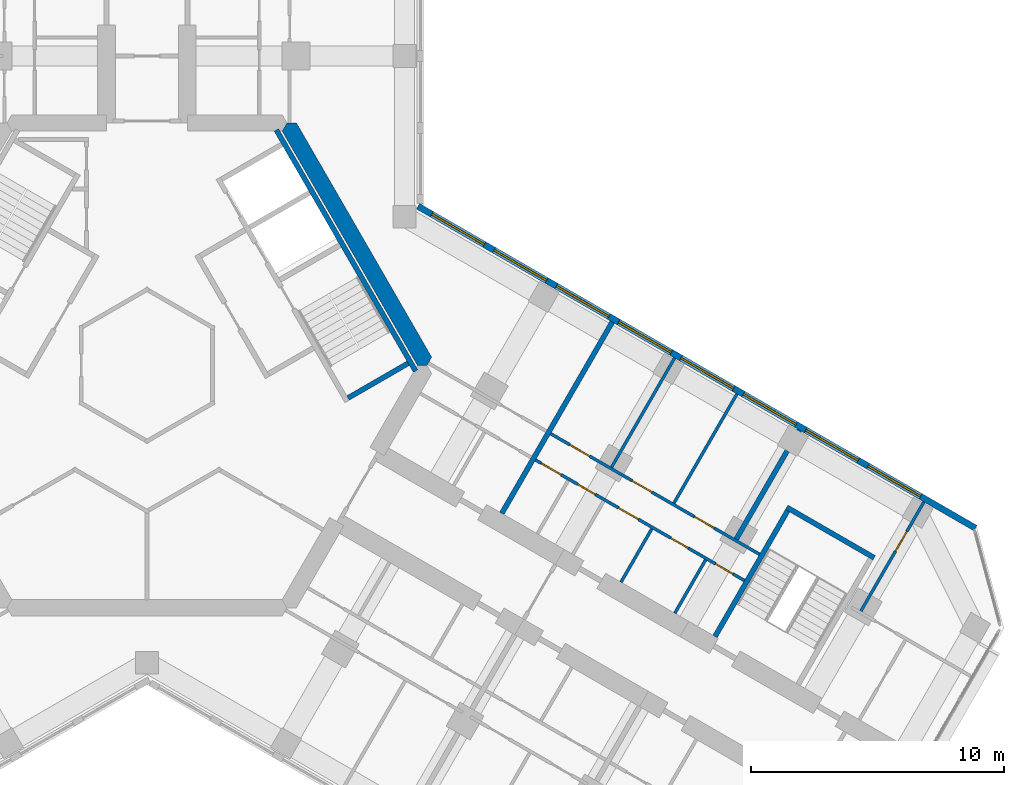
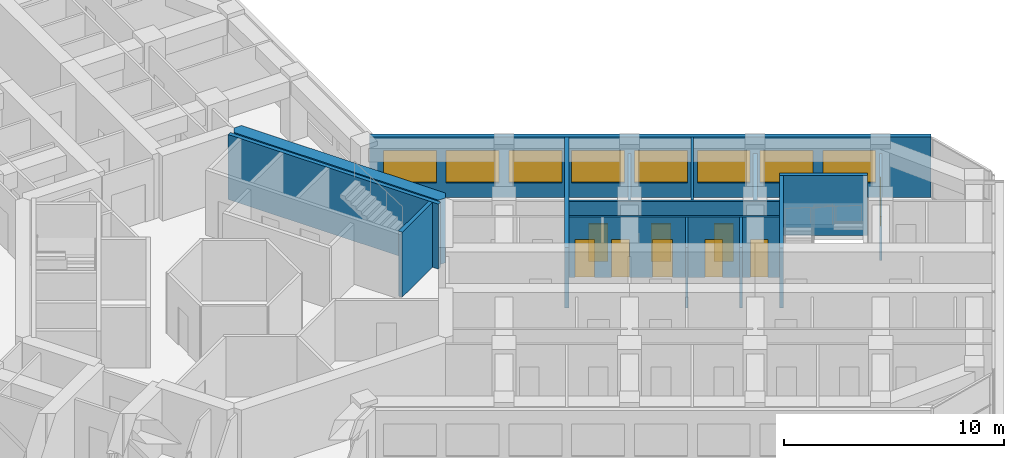
# One storey, part 13 of 17: 15 walls, 9 doors, 8 windows, 17 openings.
"""IFC4 building model written with IfcOpenShell, lengths in metres."""

from ifc_helpers import new_model, si_unit, direction, frame, frame_2d, origin, place, context, subcontext, project, spatial, polyline, rectangle, outline, extrude, material, layer, layer_set, type_object, element, fill, save


model = new_model("IFC4")

# Units and contexts
model_context = context("Model", 3, precision=1e-05, world=origin(), true_north=direction((0.0, 1.0)))
body_context = subcontext(model_context, "Body", "Model", "MODEL_VIEW")
ifc_project = project(units=[si_unit("LENGTHUNIT", "METRE"), si_unit("AREAUNIT", "SQUARE_METRE"), si_unit("VOLUMEUNIT", "CUBIC_METRE"), si_unit("PLANEANGLEUNIT", "RADIAN"), si_unit("MASSUNIT", "GRAM", prefix="KILO")], contexts=[model_context])

# Site, building, storey
site_placement = place(None, origin())
site = spatial("IfcSite", under=ifc_project, at=site_placement, CompositionType="ELEMENT")
building_placement = place(site_placement, origin())
building = spatial("IfcBuilding", under=site, at=building_placement, Name="Kosmar Iwan School Tower", CompositionType="ELEMENT")
storey_placement = place(building_placement, frame((0.0, 0.0, 193.800048828125)))
storey = spatial("IfcBuildingStorey", under=building, at=storey_placement, Name="L48", CompositionType="ELEMENT", Elevation=193.800048828125)

# Wall
ifc_material_1 = material(Name="Concrete C50/60", Category="concrete")
ifc_layer_1 = layer(ifc_material_1, 0.64990234375)
ifc_layer_set_1 = layer_set([ifc_layer_1], Name="Core wall 650")
wall_type_1 = type_object("IfcWallType", Name="Core wall 650", PredefinedType="SHEAR", material=ifc_layer_set_1)
wall_1_placement = place(storey_placement, origin())
element("IfcWall", 1, at=wall_1_placement, inside=storey, type_object=wall_type_1, Name="Core wall F030", PredefinedType="SHEAR", context=body_context, shape_type="SweptSolid", body=[
    extrude(outline(polyline([(10.7099609375, 0.0), (11.085205078125, 0.0), (11.272705078125, 0.324951171875), (5.917724609375, 9.60009765625), (5.54248046875, 9.60009765625), (5.35498046875, 9.27490234375), (10.7099609375, 0.0)])), origin(), (0.0, 0.0, 1.0), 3.599853515625),
])

# Wall, openings, doors
ifc_material_2 = material(Name="Gypsum board on steel studs", Category="steel")
ifc_layer_2 = layer(ifc_material_2, 0.1201171875)
ifc_layer_set_2 = layer_set([ifc_layer_2], Name="Dwelling partition 120")
wall_type_2 = type_object("IfcWallType", Name="Dwelling partition 120", PredefinedType="PARTITIONING", material=ifc_layer_set_2)
wall_2_placement = place(storey_placement, frame((15.388671875, -3.74609375, 0.0), z_axis=(0.0, 0.0, 1.0), x_axis=(0.866017851049, -0.500013081493, 0.0)))
wall_2 = element("IfcWall", 2, at=wall_2_placement, inside=storey, type_object=wall_type_2, Name="Partition L48-CL2-W1", PredefinedType="PARTITIONING", context=body_context, shape_type="SweptSolid", body=[
    extrude(rectangle(XDim=9.550048828125, YDim=0.1201171875, at=frame_2d((4.77490234375, 0.0))), origin(), (0.0, 0.0, 1.0), 3.349853515625),
])
opening_1_placement = place(wall_2_placement, frame((0.262451171875, 0.0, 0.0)))
opening_1 = element("IfcOpeningElement", 3, at=opening_1_placement, cuts=wall_2, Name="Opening D2", PredefinedType="OPENING", context=body_context, shape_type="SweptSolid", body=[
    extrude(rectangle(XDim=0.89990234375, YDim=2.10009765625, at=frame_2d((0.449951171875, 1.050048828125))), frame((0.0, 0.072021484375, 0.0), z_axis=(0.0, -1.0, 0.0), x_axis=(1.0, 0.0, 0.0)), (0.0, 0.0, 1.0), 0.14404296875),
])
opening_2_placement = place(wall_2_placement, frame((1.9375, 0.0, 0.0)))
opening_2 = element("IfcOpeningElement", 4, at=opening_2_placement, cuts=wall_2, Name="Opening D3", PredefinedType="OPENING", context=body_context, shape_type="SweptSolid", body=[
    extrude(rectangle(XDim=0.800048828125, YDim=2.10009765625, at=frame_2d((0.39990234375, 1.050048828125))), frame((0.0, 0.072021484375, 0.0), z_axis=(0.0, -1.0, 0.0), x_axis=(1.0, 0.0, 0.0)), (0.0, 0.0, 1.0), 0.14404296875),
])
opening_3_placement = place(wall_2_placement, frame((3.800048828125, 0.0, 0.0)))
opening_3 = element("IfcOpeningElement", 5, at=opening_3_placement, cuts=wall_2, Name="Opening D2", PredefinedType="OPENING", context=body_context, shape_type="SweptSolid", body=[
    extrude(rectangle(XDim=0.89990234375, YDim=2.10009765625, at=frame_2d((0.449951171875, 1.050048828125))), frame((0.0, 0.072021484375, 0.0), z_axis=(0.0, -1.0, 0.0), x_axis=(1.0, 0.0, 0.0)), (0.0, 0.0, 1.0), 0.14404296875),
])
opening_4_placement = place(wall_2_placement, frame((6.179931640625, 0.0, 0.0)))
opening_4 = element("IfcOpeningElement", 6, at=opening_4_placement, cuts=wall_2, Name="Opening D3", PredefinedType="OPENING", context=body_context, shape_type="SweptSolid", body=[
    extrude(rectangle(XDim=0.800048828125, YDim=2.10009765625, at=frame_2d((0.39990234375, 1.050048828125))), frame((0.0, 0.072021484375, 0.0), z_axis=(0.0, -1.0, 0.0), x_axis=(1.0, 0.0, 0.0)), (0.0, 0.0, 1.0), 0.14404296875),
])
opening_5_placement = place(wall_2_placement, frame((8.22998046875, 0.0, 0.0)))
opening_5 = element("IfcOpeningElement", 7, at=opening_5_placement, cuts=wall_2, Name="Opening D3", PredefinedType="OPENING", context=body_context, shape_type="SweptSolid", body=[
    extrude(rectangle(XDim=0.800048828125, YDim=2.10009765625, at=frame_2d((0.39990234375, 1.050048828125))), frame((0.0, 0.072021484375, 0.0), z_axis=(0.0, -1.0, 0.0), x_axis=(1.0, 0.0, 0.0)), (0.0, 0.0, 1.0), 0.14404296875),
])
ifc_material_3 = material(Name="Timber door in timber frame", Category="wood")
door_type_1 = type_object("IfcDoorType", Name="Internal door 900x2100", OperationType="SINGLE_SWING_LEFT", PredefinedType="DOOR", material=ifc_material_3)
door_1_placement = place(opening_1_placement, origin())
door_1 = element("IfcDoor", 8, at=door_1_placement, inside=storey, type_object=door_type_1, Name="Pantry door L48-CL2-S1", OperationType="SINGLE_SWING_LEFT", OverallHeight=2.10009765625, OverallWidth=0.89990234375, PredefinedType="DOOR", context=body_context, shape_type="SweptSolid", body=[
    extrude(rectangle(XDim=0.89990234375, YDim=2.10009765625, at=frame_2d((0.449951171875, 1.050048828125))), frame((0.0, 0.02490234375, 0.0), z_axis=(0.0, -1.0, 0.0), x_axis=(1.0, 0.0, 0.0)), (0.0, 0.0, 1.0), 0.050048828125),
])
fill(opening_1, door_1)
door_2_placement = place(opening_3_placement, origin())
door_2 = element("IfcDoor", 9, at=door_2_placement, inside=storey, type_object=door_type_1, Name="Entrance hall door L48-CL2-S3", OperationType="SINGLE_SWING_LEFT", OverallHeight=2.10009765625, OverallWidth=0.89990234375, PredefinedType="DOOR", context=body_context, shape_type="SweptSolid", body=[
    extrude(rectangle(XDim=0.89990234375, YDim=2.10009765625, at=frame_2d((0.449951171875, 1.050048828125))), frame((0.0, 0.02490234375, 0.0), z_axis=(0.0, -1.0, 0.0), x_axis=(1.0, 0.0, 0.0)), (0.0, 0.0, 1.0), 0.050048828125),
])
fill(opening_3, door_2)
ifc_material_4 = material(Name="Timber door in timber frame", Category="wood")
door_type_2 = type_object("IfcDoorType", Name="Sanitary room door 800x2100", OperationType="SINGLE_SWING_LEFT", PredefinedType="DOOR", material=ifc_material_4)
door_3_placement = place(opening_2_placement, origin())
door_3 = element("IfcDoor", 10, at=door_3_placement, inside=storey, type_object=door_type_2, Name="Grandparents' shower room door L48-CL2-S2", OperationType="SINGLE_SWING_LEFT", OverallHeight=2.10009765625, OverallWidth=0.800048828125, PredefinedType="DOOR", context=body_context, shape_type="SweptSolid", body=[
    extrude(rectangle(XDim=0.800048828125, YDim=2.10009765625, at=frame_2d((0.39990234375, 1.050048828125))), frame((0.0, 0.02490234375, 0.0), z_axis=(0.0, -1.0, 0.0), x_axis=(1.0, 0.0, 0.0)), (0.0, 0.0, 1.0), 0.050048828125),
])
fill(opening_2, door_3)
door_4_placement = place(opening_4_placement, origin())
door_4 = element("IfcDoor", 11, at=door_4_placement, inside=storey, type_object=door_type_2, Name="Bathroom door L48-CL2-S4", OperationType="SINGLE_SWING_RIGHT", OverallHeight=2.10009765625, OverallWidth=0.800048828125, PredefinedType="DOOR", context=body_context, shape_type="SweptSolid", body=[
    extrude(rectangle(XDim=0.800048828125, YDim=2.10009765625, at=frame_2d((0.39990234375, 1.050048828125))), frame((0.0, 0.02490234375, 0.0), z_axis=(0.0, -1.0, 0.0), x_axis=(1.0, 0.0, 0.0)), (0.0, 0.0, 1.0), 0.050048828125),
])
fill(opening_4, door_4)
door_5_placement = place(opening_5_placement, origin())
door_5 = element("IfcDoor", 12, at=door_5_placement, inside=storey, type_object=door_type_2, Name="Shower room door L48-CL2-S5", OperationType="SINGLE_SWING_RIGHT", OverallHeight=2.10009765625, OverallWidth=0.800048828125, PredefinedType="DOOR", context=body_context, shape_type="SweptSolid", body=[
    extrude(rectangle(XDim=0.800048828125, YDim=2.10009765625, at=frame_2d((0.39990234375, 1.050048828125))), frame((0.0, 0.02490234375, 0.0), z_axis=(0.0, -1.0, 0.0), x_axis=(1.0, 0.0, 0.0)), (0.0, 0.0, 1.0), 0.050048828125),
])
fill(opening_5, door_5)

wall_3_placement = place(storey_placement, frame((15.988525390625, -2.70703125, 0.0), z_axis=(0.0, 0.0, 1.0), x_axis=(0.866028920859, -0.499993908199, 0.0)))
wall_3 = element("IfcWall", 13, at=wall_3_placement, inside=storey, type_object=wall_type_2, Name="Partition L48-CL2-W2", PredefinedType="PARTITIONING", context=body_context, shape_type="SweptSolid", body=[
    extrude(rectangle(XDim=9.5498046875, YDim=0.1201171875, at=frame_2d((4.77490234375, 0.0))), origin(), (0.0, 0.0, 1.0), 3.349853515625),
])
opening_6_placement = place(wall_3_placement, frame((0.875, 0.0, 0.0)))
opening_6 = element("IfcOpeningElement", 14, at=opening_6_placement, cuts=wall_3, Name="Opening D2", PredefinedType="OPENING", context=body_context, shape_type="SweptSolid", body=[
    extrude(rectangle(XDim=0.89990234375, YDim=2.10009765625, at=frame_2d((0.449951171875, 1.050048828125))), frame((0.0, 0.072021484375, 0.0), z_axis=(0.0, -1.0, 0.0), x_axis=(1.0, 0.0, 0.0)), (0.0, 0.0, 1.0), 0.14404296875),
])
opening_7_placement = place(wall_3_placement, frame((3.72509765625, 0.0, 0.0)))
opening_7 = element("IfcOpeningElement", 15, at=opening_7_placement, cuts=wall_3, Name="Opening D2", PredefinedType="OPENING", context=body_context, shape_type="SweptSolid", body=[
    extrude(rectangle(XDim=0.89990234375, YDim=2.10009765625, at=frame_2d((0.449951171875, 1.050048828125))), frame((0.0, 0.072021484375, 0.0), z_axis=(0.0, -1.0, 0.0), x_axis=(1.0, 0.0, 0.0)), (0.0, 0.0, 1.0), 0.14404296875),
])
opening_8_placement = place(wall_3_placement, frame((6.574951171875, 0.0, 0.0)))
opening_8 = element("IfcOpeningElement", 16, at=opening_8_placement, cuts=wall_3, Name="Opening D2", PredefinedType="OPENING", context=body_context, shape_type="SweptSolid", body=[
    extrude(rectangle(XDim=0.89990234375, YDim=2.10009765625, at=frame_2d((0.449951171875, 1.050048828125))), frame((0.0, 0.072021484375, 0.0), z_axis=(0.0, -1.0, 0.0), x_axis=(1.0, 0.0, 0.0)), (0.0, 0.0, 1.0), 0.14404296875),
])
door_6_placement = place(opening_6_placement, origin())
door_6 = element("IfcDoor", 17, at=door_6_placement, inside=storey, type_object=door_type_1, Name="Living room and kitchen door L48-CL2-F1", OperationType="SINGLE_SWING_RIGHT", OverallHeight=2.10009765625, OverallWidth=0.89990234375, PredefinedType="DOOR", context=body_context, shape_type="SweptSolid", body=[
    extrude(rectangle(XDim=0.89990234375, YDim=2.10009765625, at=frame_2d((0.449951171875, 1.050048828125))), frame((0.0, 0.02490234375, 0.0), z_axis=(0.0, -1.0, 0.0), x_axis=(1.0, 0.0, 0.0)), (0.0, 0.0, 1.0), 0.050048828125),
])
fill(opening_6, door_6)
door_7_placement = place(opening_7_placement, origin())
door_7 = element("IfcDoor", 18, at=door_7_placement, inside=storey, type_object=door_type_1, Name="Grandparents' suite door L48-CL2-F2", OperationType="SINGLE_SWING_LEFT", OverallHeight=2.10009765625, OverallWidth=0.89990234375, PredefinedType="DOOR", context=body_context, shape_type="SweptSolid", body=[
    extrude(rectangle(XDim=0.89990234375, YDim=2.10009765625, at=frame_2d((0.449951171875, 1.050048828125))), frame((0.0, 0.02490234375, 0.0), z_axis=(0.0, -1.0, 0.0), x_axis=(1.0, 0.0, 0.0)), (0.0, 0.0, 1.0), 0.050048828125),
])
fill(opening_7, door_7)
door_8_placement = place(opening_8_placement, origin())
door_8 = element("IfcDoor", 19, at=door_8_placement, inside=storey, type_object=door_type_1, Name="Bedroom 1 door L48-CL2-F3", OperationType="SINGLE_SWING_RIGHT", OverallHeight=2.10009765625, OverallWidth=0.89990234375, PredefinedType="DOOR", context=body_context, shape_type="SweptSolid", body=[
    extrude(rectangle(XDim=0.89990234375, YDim=2.10009765625, at=frame_2d((0.449951171875, 1.050048828125))), frame((0.0, 0.02490234375, 0.0), z_axis=(0.0, -1.0, 0.0), x_axis=(1.0, 0.0, 0.0)), (0.0, 0.0, 1.0), 0.050048828125),
])
fill(opening_8, door_8)

# Walls
wall_4_placement = place(storey_placement, frame((18.400146484375, -4.030029296875, 0.0), z_axis=(0.0, 0.0, 1.0), x_axis=(0.500011847778, 0.866018563358, 0.0)))
element("IfcWall", 20, at=wall_4_placement, inside=storey, type_object=wall_type_2, Name="Partition L48-CL2-X1", PredefinedType="PARTITIONING", context=body_context, shape_type="SweptSolid", body=[
    extrude(rectangle(XDim=4.990234375, YDim=0.1201171875, at=frame_2d((2.4951171875, 0.0))), origin(), (0.0, 0.0, 1.0), 2.449951171875),
])
wall_5_placement = place(storey_placement, frame((20.868408203125, -5.455078125, 0.0), z_axis=(0.0, 0.0, 1.0), x_axis=(0.499975153383, 0.86603974851, 0.0)))
element("IfcWall", 21, at=wall_5_placement, inside=storey, type_object=wall_type_2, Name="Partition L48-CL2-X2", PredefinedType="PARTITIONING", context=body_context, shape_type="SweptSolid", body=[
    extrude(rectangle(XDim=4.989990234375, YDim=0.1201171875, at=frame_2d((2.4951171875, 0.0))), origin(), (0.0, 0.0, 1.0), 3.349853515625),
])
for number, where, z_axis, x_axis, name in (
    (22, (18.771728515625, -8.586181640625, 0.0), (0.0, 0.0, 1.0), (0.500077547548, 0.865980627057, 0.0), "Partition L48-CL2-Y3"),
    (23, (20.90234375, -9.816162109375, 0.0), (0.0, 0.0, 1.0), (0.500002508028, 0.866023955769, 0.0), "Partition L48-CL2-Y4"),
):
    element("IfcWall", number, at=place(storey_placement, frame(where, z_axis=z_axis, x_axis=x_axis)), inside=storey, type_object=wall_type_2, Name=name, PredefinedType="PARTITIONING", context=body_context, shape_type="SweptSolid", body=[
        extrude(rectangle(XDim=2.43994140625, YDim=0.1201171875, at=frame_2d((1.219970703125, 0.0))), origin(), (0.0, 0.0, 1.0), 3.349853515625),
    ])

# Wall, opening, door
wall_6_placement = place(storey_placement, frame((28.27294921875, -9.72998046875, 0.0), z_axis=(0.0, 0.0, 1.0), x_axis=(0.499975153383, 0.86603974851, 0.0)))
wall_6 = element("IfcWall", 24, at=wall_6_placement, inside=storey, type_object=wall_type_2, Name="Partition L48-CL3-TX", PredefinedType="PARTITIONING", context=body_context, shape_type="SweptSolid", body=[
    extrude(rectangle(XDim=4.989990234375, YDim=0.1201171875, at=frame_2d((2.4951171875, 0.0))), origin(), (0.0, 0.0, 1.0), 2.449951171875),
])
opening_9_placement = place(wall_6_placement, frame((2.739990234375, 0.0, 0.0)))
opening_9 = element("IfcOpeningElement", 25, at=opening_9_placement, cuts=wall_6, Name="Opening D2", PredefinedType="OPENING", context=body_context, shape_type="SweptSolid", body=[
    extrude(rectangle(XDim=0.89990234375, YDim=2.10009765625, at=frame_2d((0.449951171875, 1.050048828125))), frame((0.0, 0.072021484375, 0.0), z_axis=(0.0, -1.0, 0.0), x_axis=(1.0, 0.0, 0.0)), (0.0, 0.0, 1.0), 0.14404296875),
])
door_9_placement = place(opening_9_placement, origin())
door_9 = element("IfcDoor", 26, at=door_9_placement, inside=storey, type_object=door_type_1, Name="Bedroom 1 door L48-CL3-T1", OperationType="SINGLE_SWING_RIGHT", OverallHeight=2.10009765625, OverallWidth=0.89990234375, PredefinedType="DOOR", context=body_context, shape_type="SweptSolid", body=[
    extrude(rectangle(XDim=0.89990234375, YDim=2.10009765625, at=frame_2d((0.449951171875, 1.050048828125))), frame((0.0, 0.02490234375, 0.0), z_axis=(0.0, -1.0, 0.0), x_axis=(1.0, 0.0, 0.0)), (0.0, 0.0, 1.0), 0.050048828125),
])
fill(opening_9, door_9)

# Walls
ifc_material_5 = material(Name="Concrete C35/45", Category="concrete")
ifc_layer_3 = layer(ifc_material_5, 0.199951171875)
ifc_layer_set_3 = layer_set([ifc_layer_3], Name="Escape stair wall 200")
wall_type_3 = type_object("IfcWallType", Name="Escape stair wall 200", PredefinedType="SHEAR", material=ifc_layer_set_3)
wall_7_placement = place(storey_placement, frame((22.49560546875, -10.736328125, 0.0), z_axis=(0.0, 0.0, 1.0), x_axis=(0.500013701029, 0.866017493347, 0.0)))
element("IfcWall", 27, at=wall_7_placement, inside=storey, type_object=wall_type_3, Name="Stair WS3 wall", PredefinedType="SHEAR", context=body_context, shape_type="SweptSolid", body=[
    extrude(rectangle(XDim=5.949951171875, YDim=0.199951171875, at=frame_2d((2.97509765625, 0.0))), origin(), (0.0, 0.0, 1.0), 3.329833984375),
])
wall_8_placement = place(storey_placement, frame((25.334228515625, -5.6201171875, 0.0), z_axis=(0.0, 0.0, 1.0), x_axis=(0.866026010844, -0.49999894854, 0.0)))
element("IfcWall", 28, at=wall_8_placement, inside=storey, type_object=wall_type_3, Name="Stair WS3 wall", PredefinedType="SHEAR", context=body_context, shape_type="SweptSolid", body=[
    extrude(rectangle(XDim=4.0, YDim=0.199951171875, at=frame_2d((2.0, 0.0))), origin(), (0.0, 0.0, 1.0), 3.329833984375),
])

# Wall, openings, windows
ifc_material_6 = material(Name="Black aluminium rainscreen on insulated framing", Category="aluminium")
ifc_layer_4 = layer(ifc_material_6, 0.25)
ifc_layer_set_4 = layer_set([ifc_layer_4], Name="External wall rainscreen 250")
wall_type_4 = type_object("IfcWallType", Name="External wall rainscreen 250", PredefinedType="SOLIDWALL", material=ifc_layer_set_4)
wall_9_placement = place(storey_placement, frame((10.73681640625, 6.30078125, 0.0), z_axis=(0.0, 0.0, 1.0), x_axis=(0.866026390279, -0.499998291337, 0.0)))
wall_9 = element("IfcWall", 29, at=wall_9_placement, inside=storey, type_object=wall_type_4, Name="External wall CL L48", PredefinedType="SOLIDWALL", context=body_context, shape_type="SweptSolid", body=[
    extrude(rectangle(XDim=25.4873046875, YDim=0.25, at=frame_2d((12.74365234375, 0.0))), origin(), (0.0, 0.0, 1.0), 3.349853515625),
])
opening_10_placement = place(wall_9_placement, frame((0.626953125, 0.0, 0.800048828125)))
opening_10 = element("IfcOpeningElement", 30, at=opening_10_placement, cuts=wall_9, Name="Opening W5", PredefinedType="OPENING", context=body_context, shape_type="SweptSolid", body=[
    extrude(rectangle(XDim=2.39990234375, YDim=1.800048828125, at=frame_2d((1.199951171875, 0.89990234375))), frame((0.0, 0.136962890625, 0.0), z_axis=(0.0, -1.0, 0.0), x_axis=(1.0, 0.0, 0.0)), (0.0, 0.0, 1.0), 0.27392578125),
])
opening_11_placement = place(wall_9_placement, frame((3.47705078125, 0.0, 0.800048828125)))
opening_11 = element("IfcOpeningElement", 31, at=opening_11_placement, cuts=wall_9, Name="Opening W5", PredefinedType="OPENING", context=body_context, shape_type="SweptSolid", body=[
    extrude(rectangle(XDim=2.39990234375, YDim=1.800048828125, at=frame_2d((1.199951171875, 0.89990234375))), frame((0.0, 0.136962890625, 0.0), z_axis=(0.0, -1.0, 0.0), x_axis=(1.0, 0.0, 0.0)), (0.0, 0.0, 1.0), 0.27392578125),
])
opening_12_placement = place(wall_9_placement, frame((6.326904296875, 0.0, 0.800048828125)))
opening_12 = element("IfcOpeningElement", 32, at=opening_12_placement, cuts=wall_9, Name="Opening W5", PredefinedType="OPENING", context=body_context, shape_type="SweptSolid", body=[
    extrude(rectangle(XDim=2.39990234375, YDim=1.800048828125, at=frame_2d((1.199951171875, 0.89990234375))), frame((0.0, 0.136962890625, 0.0), z_axis=(0.0, -1.0, 0.0), x_axis=(1.0, 0.0, 0.0)), (0.0, 0.0, 1.0), 0.27392578125),
])
opening_13_placement = place(wall_9_placement, frame((9.177001953125, 0.0, 0.800048828125)))
opening_13 = element("IfcOpeningElement", 33, at=opening_13_placement, cuts=wall_9, Name="Opening W5", PredefinedType="OPENING", context=body_context, shape_type="SweptSolid", body=[
    extrude(rectangle(XDim=2.39990234375, YDim=1.800048828125, at=frame_2d((1.199951171875, 0.89990234375))), frame((0.0, 0.136962890625, 0.0), z_axis=(0.0, -1.0, 0.0), x_axis=(1.0, 0.0, 0.0)), (0.0, 0.0, 1.0), 0.27392578125),
])
opening_14_placement = place(wall_9_placement, frame((12.027099609375, 0.0, 0.800048828125)))
opening_14 = element("IfcOpeningElement", 34, at=opening_14_placement, cuts=wall_9, Name="Opening W5", PredefinedType="OPENING", context=body_context, shape_type="SweptSolid", body=[
    extrude(rectangle(XDim=2.39990234375, YDim=1.800048828125, at=frame_2d((1.199951171875, 0.89990234375))), frame((0.0, 0.136962890625, 0.0), z_axis=(0.0, -1.0, 0.0), x_axis=(1.0, 0.0, 0.0)), (0.0, 0.0, 1.0), 0.27392578125),
])
opening_15_placement = place(wall_9_placement, frame((14.876953125, 0.0, 0.800048828125)))
opening_15 = element("IfcOpeningElement", 35, at=opening_15_placement, cuts=wall_9, Name="Opening W5", PredefinedType="OPENING", context=body_context, shape_type="SweptSolid", body=[
    extrude(rectangle(XDim=2.39990234375, YDim=1.800048828125, at=frame_2d((1.199951171875, 0.89990234375))), frame((0.0, 0.136962890625, 0.0), z_axis=(0.0, -1.0, 0.0), x_axis=(1.0, 0.0, 0.0)), (0.0, 0.0, 1.0), 0.27392578125),
])
opening_16_placement = place(wall_9_placement, frame((17.72705078125, 0.0, 0.800048828125)))
opening_16 = element("IfcOpeningElement", 36, at=opening_16_placement, cuts=wall_9, Name="Opening W5", PredefinedType="OPENING", context=body_context, shape_type="SweptSolid", body=[
    extrude(rectangle(XDim=2.39990234375, YDim=1.800048828125, at=frame_2d((1.199951171875, 0.89990234375))), frame((0.0, 0.136962890625, 0.0), z_axis=(0.0, -1.0, 0.0), x_axis=(1.0, 0.0, 0.0)), (0.0, 0.0, 1.0), 0.27392578125),
])
opening_17_placement = place(wall_9_placement, frame((20.576904296875, 0.0, 0.800048828125)))
opening_17 = element("IfcOpeningElement", 37, at=opening_17_placement, cuts=wall_9, Name="Opening W5", PredefinedType="OPENING", context=body_context, shape_type="SweptSolid", body=[
    extrude(rectangle(XDim=2.39990234375, YDim=1.800048828125, at=frame_2d((1.199951171875, 0.89990234375))), frame((0.0, 0.136962890625, 0.0), z_axis=(0.0, -1.0, 0.0), x_axis=(1.0, 0.0, 0.0)), (0.0, 0.0, 1.0), 0.27392578125),
])
ifc_material_7 = material(Name="Black aluminium frame with dark triple glazing", Category="aluminium")
window_type = type_object("IfcWindowType", Name="Window 2400x1800", PartitioningType="SINGLE_PANEL", PredefinedType="WINDOW", material=ifc_material_7)
window_1_placement = place(opening_10_placement, origin())
window_1 = element("IfcWindow", 38, at=window_1_placement, inside=storey, type_object=window_type, Name="Window CL L48 -1", OverallHeight=1.800048828125, OverallWidth=2.39990234375, PartitioningType="SINGLE_PANEL", PredefinedType="WINDOW", context=body_context, shape_type="SweptSolid", body=[
    extrude(rectangle(XDim=2.39990234375, YDim=1.800048828125, at=frame_2d((1.199951171875, 0.89990234375))), frame((0.0, 0.030029296875, 0.0), z_axis=(0.0, -1.0, 0.0), x_axis=(1.0, 0.0, 0.0)), (0.0, 0.0, 1.0), 0.06005859375),
])
fill(opening_10, window_1)
window_2_placement = place(opening_11_placement, origin())
window_2 = element("IfcWindow", 39, at=window_2_placement, inside=storey, type_object=window_type, Name="Window CL L48 0", OverallHeight=1.800048828125, OverallWidth=2.39990234375, PartitioningType="SINGLE_PANEL", PredefinedType="WINDOW", context=body_context, shape_type="SweptSolid", body=[
    extrude(rectangle(XDim=2.39990234375, YDim=1.800048828125, at=frame_2d((1.199951171875, 0.89990234375))), frame((0.0, 0.030029296875, 0.0), z_axis=(0.0, -1.0, 0.0), x_axis=(1.0, 0.0, 0.0)), (0.0, 0.0, 1.0), 0.06005859375),
])
fill(opening_11, window_2)
window_3_placement = place(opening_12_placement, origin())
window_3 = element("IfcWindow", 40, at=window_3_placement, inside=storey, type_object=window_type, Name="Window CL L48 1", OverallHeight=1.800048828125, OverallWidth=2.39990234375, PartitioningType="SINGLE_PANEL", PredefinedType="WINDOW", context=body_context, shape_type="SweptSolid", body=[
    extrude(rectangle(XDim=2.39990234375, YDim=1.800048828125, at=frame_2d((1.199951171875, 0.89990234375))), frame((0.0, 0.030029296875, 0.0), z_axis=(0.0, -1.0, 0.0), x_axis=(1.0, 0.0, 0.0)), (0.0, 0.0, 1.0), 0.06005859375),
])
fill(opening_12, window_3)
window_4_placement = place(opening_13_placement, origin())
window_4 = element("IfcWindow", 41, at=window_4_placement, inside=storey, type_object=window_type, Name="Window CL L48 2", OverallHeight=1.800048828125, OverallWidth=2.39990234375, PartitioningType="SINGLE_PANEL", PredefinedType="WINDOW", context=body_context, shape_type="SweptSolid", body=[
    extrude(rectangle(XDim=2.39990234375, YDim=1.800048828125, at=frame_2d((1.199951171875, 0.89990234375))), frame((0.0, 0.030029296875, 0.0), z_axis=(0.0, -1.0, 0.0), x_axis=(1.0, 0.0, 0.0)), (0.0, 0.0, 1.0), 0.06005859375),
])
fill(opening_13, window_4)
window_5_placement = place(opening_14_placement, origin())
window_5 = element("IfcWindow", 42, at=window_5_placement, inside=storey, type_object=window_type, Name="Window CL L48 3", OverallHeight=1.800048828125, OverallWidth=2.39990234375, PartitioningType="SINGLE_PANEL", PredefinedType="WINDOW", context=body_context, shape_type="SweptSolid", body=[
    extrude(rectangle(XDim=2.39990234375, YDim=1.800048828125, at=frame_2d((1.199951171875, 0.89990234375))), frame((0.0, 0.030029296875, 0.0), z_axis=(0.0, -1.0, 0.0), x_axis=(1.0, 0.0, 0.0)), (0.0, 0.0, 1.0), 0.06005859375),
])
fill(opening_14, window_5)
window_6_placement = place(opening_15_placement, origin())
window_6 = element("IfcWindow", 43, at=window_6_placement, inside=storey, type_object=window_type, Name="Window CL L48 4", OverallHeight=1.800048828125, OverallWidth=2.39990234375, PartitioningType="SINGLE_PANEL", PredefinedType="WINDOW", context=body_context, shape_type="SweptSolid", body=[
    extrude(rectangle(XDim=2.39990234375, YDim=1.800048828125, at=frame_2d((1.199951171875, 0.89990234375))), frame((0.0, 0.030029296875, 0.0), z_axis=(0.0, -1.0, 0.0), x_axis=(1.0, 0.0, 0.0)), (0.0, 0.0, 1.0), 0.06005859375),
])
fill(opening_15, window_6)
window_7_placement = place(opening_16_placement, origin())
window_7 = element("IfcWindow", 44, at=window_7_placement, inside=storey, type_object=window_type, Name="Window CL L48 5", OverallHeight=1.800048828125, OverallWidth=2.39990234375, PartitioningType="SINGLE_PANEL", PredefinedType="WINDOW", context=body_context, shape_type="SweptSolid", body=[
    extrude(rectangle(XDim=2.39990234375, YDim=1.800048828125, at=frame_2d((1.199951171875, 0.89990234375))), frame((0.0, 0.030029296875, 0.0), z_axis=(0.0, -1.0, 0.0), x_axis=(1.0, 0.0, 0.0)), (0.0, 0.0, 1.0), 0.06005859375),
])
fill(opening_16, window_7)
window_8_placement = place(opening_17_placement, origin())
window_8 = element("IfcWindow", 45, at=window_8_placement, inside=storey, type_object=window_type, Name="Window CL L48 6", OverallHeight=1.800048828125, OverallWidth=2.39990234375, PartitioningType="SINGLE_PANEL", PredefinedType="WINDOW", context=body_context, shape_type="SweptSolid", body=[
    extrude(rectangle(XDim=2.39990234375, YDim=1.800048828125, at=frame_2d((1.199951171875, 0.89990234375))), frame((0.0, 0.030029296875, 0.0), z_axis=(0.0, -1.0, 0.0), x_axis=(1.0, 0.0, 0.0)), (0.0, 0.0, 1.0), 0.06005859375),
])
fill(opening_17, window_8)

# Walls
ifc_material_8 = material(Name="Concrete C50/60", Category="concrete")
ifc_layer_5 = layer(ifc_material_8, 0.199951171875)
ifc_layer_set_5 = layer_set([ifc_layer_5], Name="Lift shaft wall 200")
wall_type_5 = type_object("IfcWallType", Name="Lift shaft wall 200", PredefinedType="SHEAR", material=ifc_layer_set_5)
wall_10_placement = place(storey_placement, frame((10.6376953125, -0.22509765625, 0.0), z_axis=(0.0, 0.0, 1.0), x_axis=(-0.49999650507, 0.866027421574, 0.0)))
element("IfcWall", 46, at=wall_10_placement, inside=storey, type_object=wall_type_5, Name="Lift and stair back wall AC", PredefinedType="SHEAR", context=body_context, shape_type="SweptSolid", body=[
    extrude(rectangle(XDim=11.02734375, YDim=0.199951171875, at=frame_2d((5.513671875, 0.0))), origin(), (0.0, 0.0, 1.0), 3.599853515625),
])
ifc_material_9 = material(Name="Concrete block masonry", Category="masonry")
ifc_layer_6 = layer(ifc_material_9, 0.199951171875)
ifc_layer_set_6 = layer_set([ifc_layer_6], Name="Party wall 200")
wall_type_6 = type_object("IfcWallType", Name="Party wall 200", PredefinedType="PARTITIONING", material=ifc_layer_set_6)
wall_11_placement = place(storey_placement, frame((14.052001953125, -5.861328125, 0.0), z_axis=(0.0, 0.0, 1.0), x_axis=(0.499992152613, 0.866029934428, 0.0)))
element("IfcWall", 47, at=wall_11_placement, inside=storey, type_object=wall_type_6, Name="Partition L48-CL2-PW", PredefinedType="PARTITIONING", context=body_context, shape_type="SweptSolid", body=[
    extrude(rectangle(XDim=8.750244140625, YDim=0.199951171875, at=frame_2d((4.375, 0.0))), origin(), (0.0, 0.0, 1.0), 3.349853515625),
])
wall_12_placement = place(storey_placement, frame((23.33642578125, -6.8798828125, 0.0), z_axis=(0.0, 0.0, 1.0), x_axis=(0.500033033937, 0.866006330792, 0.0)))
element("IfcWall", 48, at=wall_12_placement, inside=storey, type_object=wall_type_6, Name="Partition L48-CL3-TB", PredefinedType="PARTITIONING", context=body_context, shape_type="SweptSolid", body=[
    extrude(rectangle(XDim=4.989990234375, YDim=0.199951171875, at=frame_2d((2.4951171875, 0.0))), origin(), (0.0, 0.0, 1.0), 2.449951171875),
])
ifc_material_10 = material(Name="Concrete C50/60", Category="concrete")
ifc_layer_7 = layer(ifc_material_10, 0.199951171875)
ifc_layer_set_7 = layer_set([ifc_layer_7], Name="Stair enclosure wall 200")
wall_type_7 = type_object("IfcWallType", Name="Stair enclosure wall 200", PredefinedType="SHEAR", material=ifc_layer_set_7)
wall_13_placement = place(storey_placement, frame((7.962646484375, -1.291748046875, 0.0), z_axis=(0.0, 0.0, 1.0), x_axis=(0.866027397988, 0.499996545922, 0.0)))
element("IfcWall", 49, at=wall_13_placement, inside=storey, type_object=wall_type_7, Name="Stair ST1 wall", PredefinedType="SHEAR", context=body_context, shape_type="SweptSolid", body=[
    extrude(rectangle(XDim=2.75, YDim=0.199951171875, at=frame_2d((1.375, 0.0))), origin(), (0.0, 0.0, 1.0), 3.599853515625),
])

save(model, "model.ifc")
